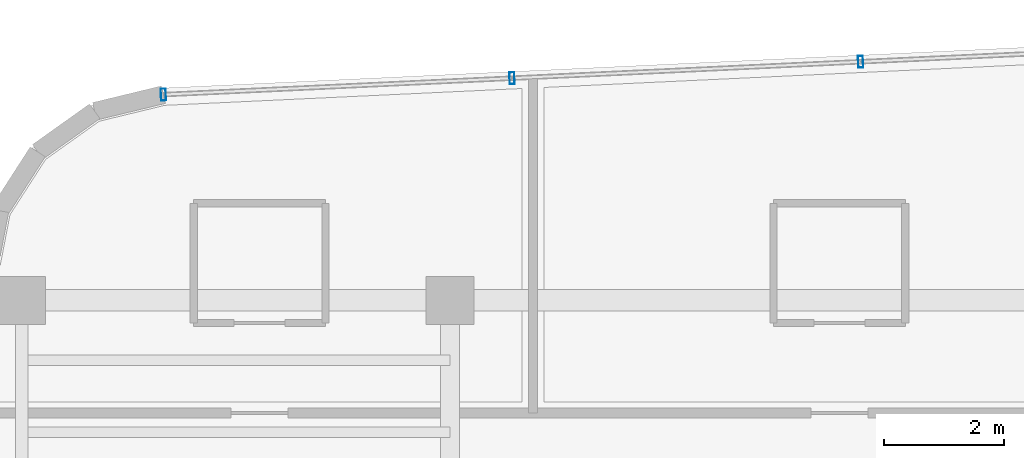
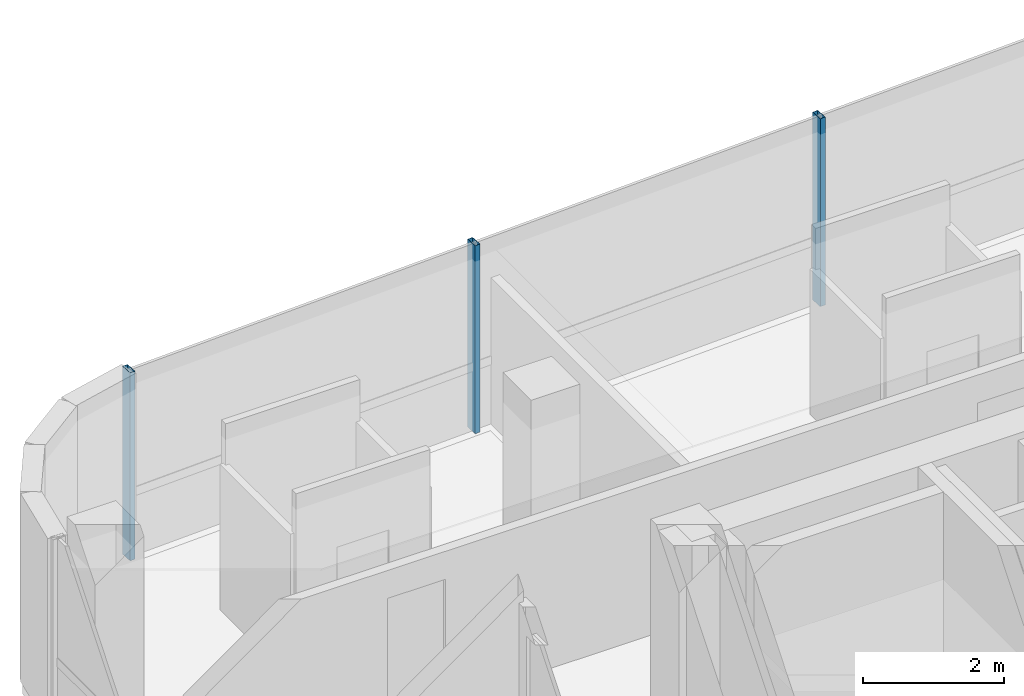
# One storey, part 10 of 20: 3 members, 1 element without a shape of its own.
"""IFC4 building model written with IfcOpenShell, lengths in metres."""

from ifc_helpers import new_model, si_unit, direction, frame, origin, origin_2d, place, context, subcontext, project, spatial, hollow_rectangle, extrude, source, transform, mapped, material, material_profile, profile_set, type_object, element, aggregate, save


model = new_model("IFC4")

# Units and contexts
model_context = context("Model", 3, precision=1e-05, world=origin(), true_north=direction((0.0, 1.0)))
body_context = subcontext(model_context, "Body", "Model", "MODEL_VIEW")
ifc_project = project(units=[si_unit("LENGTHUNIT", "METRE"), si_unit("AREAUNIT", "SQUARE_METRE"), si_unit("VOLUMEUNIT", "CUBIC_METRE"), si_unit("PLANEANGLEUNIT", "RADIAN"), si_unit("MASSUNIT", "GRAM", prefix="KILO")], contexts=[model_context])

# Site, building, storey
site_placement = place(None, origin())
site = spatial("IfcSite", under=ifc_project, at=site_placement, CompositionType="ELEMENT")
building_placement = place(site_placement, origin())
building = spatial("IfcBuilding", under=site, at=building_placement, Name="Valdorenza Pilgrim Sanctuary Tower", CompositionType="ELEMENT")
storey_placement = place(building_placement, frame((0.0, 0.0, 244.0)))
storey = spatial("IfcBuildingStorey", under=building, at=storey_placement, Name="L63", CompositionType="ELEMENT", Elevation=244.0)

# Curtain wall, members
ifc_material_1 = material(Name="Curtain-wall IGU glazing", Category="glass")
curtain_wall_type = type_object("IfcCurtainWallType", Name="CW-SYS-02", PredefinedType="NOTDEFINED", material=ifc_material_1)
curtain_wall_placement = place(storey_placement, origin())
curtain_wall = element("IfcCurtainWall", 1, at=curtain_wall_placement, inside=storey, type_object=curtain_wall_type, Name="L63 Curtain Wall CW-L63-1-6", PredefinedType="NOTDEFINED")
ifc_material_2 = material(Name="Anodised aluminium AW-6060", Category="aluminium")
ifc_material_profile = material_profile(ifc_material_2, hollow_rectangle(XDim=0.0849609375, YDim=0.199951171875, WallThickness=0.0048828125, at=origin_2d()), Name="ALU-M 200x85x5")
ifc_profile_set = profile_set([ifc_material_profile], Name="Anodised aluminium AW-6060")
member_type = type_object("IfcMemberType", Name="CW-MUL-02", PredefinedType="MULLION", material=ifc_profile_set)
shared_shape = source(origin(), body_context, "Body", "SweptSolid", [
    extrude(hollow_rectangle(XDim=0.0849609375, YDim=0.199951171875, WallThickness=0.0048828125, at=origin_2d()), origin(), (0.0, 0.0, 1.0), 3.260009765625),
])
member_1_placement = place(storey_placement, frame((-27.43505859375, 18.234375, 0.0), z_axis=(0.0, 0.0, 1.0), x_axis=(0.998890696972, 0.047089016785, 0.0)))
member_1 = element("IfcMember", 2, at=member_1_placement, type_object=member_type, Name="CW-L63-1-6 Mullion 1", PredefinedType="MULLION", context=body_context, shape_type="MappedRepresentation", body=[
    mapped(shared_shape, transform((0.0, 0.0, 0.0), x_axis=(1.0, 0.0, 0.0), y_axis=(0.0, 1.0, 0.0), z_axis=(0.0, 0.0, 1.0), scale=1.0)),
])
member_2_placement = place(storey_placement, frame((-21.615478515625, 18.5087890625, 0.0), z_axis=(0.0, 0.0, 1.0), x_axis=(0.998890696972, 0.047089016785, 0.0)))
member_2 = element("IfcMember", 3, at=member_2_placement, type_object=member_type, Name="CW-L63-1-6 Mullion 2", PredefinedType="MULLION", context=body_context, shape_type="MappedRepresentation", body=[
    mapped(shared_shape, transform((0.0, 0.0, 0.0), x_axis=(1.0, 0.0, 0.0), y_axis=(0.0, 1.0, 0.0), z_axis=(0.0, 0.0, 1.0), scale=1.0)),
])
member_3_placement = place(storey_placement, frame((-15.7958984375, 18.782958984375, 0.0), z_axis=(0.0, 0.0, 1.0), x_axis=(0.998890696972, 0.047089016785, 0.0)))
member_3 = element("IfcMember", 4, at=member_3_placement, type_object=member_type, Name="CW-L63-1-6 Mullion 3", PredefinedType="MULLION", context=body_context, shape_type="MappedRepresentation", body=[
    mapped(shared_shape, transform((0.0, 0.0, 0.0), x_axis=(1.0, 0.0, 0.0), y_axis=(0.0, 1.0, 0.0), z_axis=(0.0, 0.0, 1.0), scale=1.0)),
])
aggregate(curtain_wall, [member_1, member_2, member_3])

save(model, "model.ifc")
